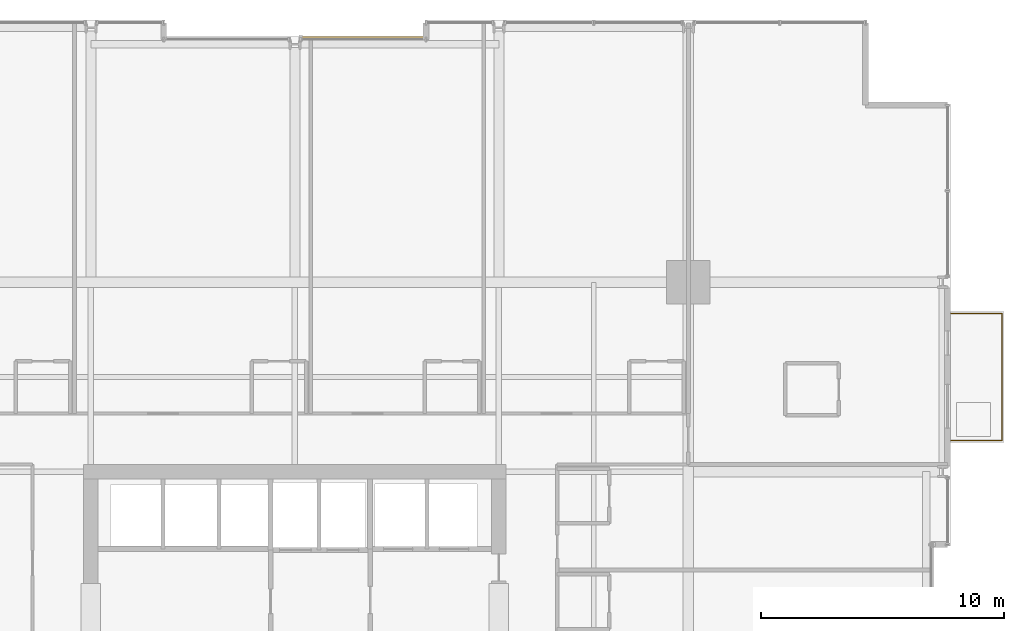
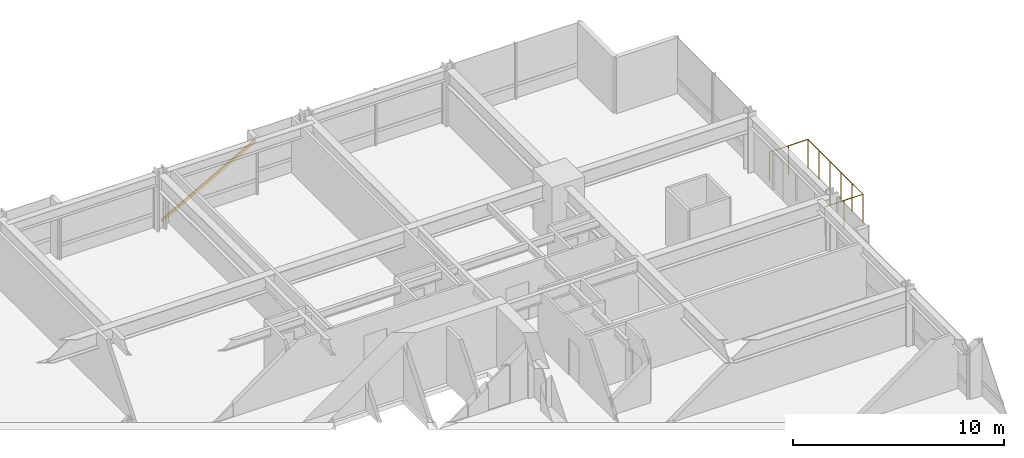
# One storey, part 37 of 37: 1 railing, 1 shading device.
"""IFC4 building model written with IfcOpenShell, lengths in metres."""

from ifc_helpers import new_model, si_unit, direction, frame, origin, origin_2d, place, context, subcontext, project, spatial, hollow_rectangle, circle, extrude, material, material_profile, profile_set, type_object, element, save


model = new_model("IFC4")

# Units and contexts
model_context = context("Model", 3, precision=1e-05, world=origin(), true_north=direction((0.0, 1.0)))
body_context = subcontext(model_context, "Body", "Model", "MODEL_VIEW")
ifc_project = project(units=[si_unit("LENGTHUNIT", "METRE"), si_unit("AREAUNIT", "SQUARE_METRE"), si_unit("VOLUMEUNIT", "CUBIC_METRE"), si_unit("PLANEANGLEUNIT", "RADIAN"), si_unit("MASSUNIT", "GRAM", prefix="KILO")], contexts=[model_context])

# Site, building, storey
site_placement = place(None, origin())
site = spatial("IfcSite", under=ifc_project, at=site_placement, CompositionType="ELEMENT")
building_placement = place(site_placement, origin())
building = spatial("IfcBuilding", under=site, at=building_placement, Name="Drelvath Grand Hotel", CompositionType="ELEMENT")
storey_placement = place(building_placement, frame((0.0, 0.0, 43.699951171875)))
storey = spatial("IfcBuildingStorey", under=building, at=storey_placement, Name="L09", CompositionType="ELEMENT", Elevation=43.699951171875)

# Shading device
ifc_material_1 = material(Name="Warm Bronze Anodised Aluminium", Category="aluminium")
ifc_material_profile = material_profile(ifc_material_1, hollow_rectangle(XDim=0.06494140625, YDim=0.159912109375, WallThickness=0.00390625, at=origin_2d()), Name="HSS160X65X4")
ifc_profile_set = profile_set([ifc_material_profile], Name="Warm Bronze Anodised Aluminium")
shading_device_type = type_object("IfcShadingDeviceType", Name="Diagonal Solar Fin Warm Bronze Anodised HSS160X65X4", PredefinedType="USERDEFINED", material=ifc_profile_set)
shading_device_placement = place(storey_placement, frame((0.240966796875, 53.280029296875, 0.179931640625), z_axis=(0.873145760887, 0.0, 0.487459208801), x_axis=(0.0, 1.0, 0.0)))
element("IfcShadingDevice", 1, at=shading_device_placement, inside=storey, type_object=shading_device_type, Name="L09 Diagonal Anodised Fin CW02-L09-NM2", ObjectType="FIN", PredefinedType="USERDEFINED", context=body_context, shape_type="SweptSolid", body=[
    extrude(hollow_rectangle(XDim=0.06494140625, YDim=0.159912109375, WallThickness=0.00390625, at=origin_2d()), origin(), (0.0, 0.0, 1.0), 5.908447265625),
])

# Railing
ifc_material_2 = material(Name="Anodised Aluminium and Laminated Glass Balustrade", Category="aluminium")
railing_type = type_object("IfcRailingType", Name="Raised Planter Edge Balustrade 1700", PredefinedType="BALUSTRADE", material=ifc_material_2)
railing_placement = place(storey_placement, frame((27.02001953125, 36.679931640625, 0.0)))
element("IfcRailing", 2, at=railing_placement, inside=storey, type_object=railing_type, Name="L09 Tree Balcony Perimeter Balustrade 1", PredefinedType="BALUSTRADE", context=body_context, shape_type="SweptSolid", body=[
    extrude(circle(Radius=0.02392578125, at=origin_2d()), frame((0.0, 0.0, 1.67578125), z_axis=(1.0, 0.0, 0.0), x_axis=(0.0, 1.0, 0.0)), (0.0, 0.0, 1.0), 2.10009765625),
    extrude(circle(Radius=0.02392578125, at=origin_2d()), frame((2.10009765625, 0.0, 1.67578125), z_axis=(0.0, 1.0, 0.0), x_axis=(-1.0, 0.0, 0.0)), (0.0, 0.0, 1.0), 5.239990234375),
    extrude(circle(Radius=0.02392578125, at=origin_2d()), frame((2.10009765625, 5.239990234375, 1.67578125), z_axis=(-1.0, 0.0, 0.0), x_axis=(0.0, -1.0, 0.0)), (0.0, 0.0, 1.0), 2.10009765625),
    extrude(circle(Radius=0.02099609375, at=origin_2d()), origin(), (0.0, 0.0, 1.0), 1.65185546875),
    extrude(circle(Radius=0.02099609375, at=origin_2d()), frame((1.050048828125, 0.0, 0.0)), (0.0, 0.0, 1.0), 1.65185546875),
    extrude(circle(Radius=0.02099609375, at=origin_2d()), frame((2.10009765625, 0.0, 0.0)), (0.0, 0.0, 1.0), 1.65185546875),
    extrude(circle(Radius=0.02099609375, at=origin_2d()), frame((2.10009765625, 1.048095703125, 0.0)), (0.0, 0.0, 1.0), 1.65185546875),
    extrude(circle(Radius=0.02099609375, at=origin_2d()), frame((2.10009765625, 2.095947265625, 0.0)), (0.0, 0.0, 1.0), 1.65185546875),
    extrude(circle(Radius=0.02099609375, at=origin_2d()), frame((2.10009765625, 3.14404296875, 0.0)), (0.0, 0.0, 1.0), 1.65185546875),
    extrude(circle(Radius=0.02099609375, at=origin_2d()), frame((2.10009765625, 4.19189453125, 0.0)), (0.0, 0.0, 1.0), 1.65185546875),
    extrude(circle(Radius=0.02099609375, at=origin_2d()), frame((2.10009765625, 5.239990234375, 0.0)), (0.0, 0.0, 1.0), 1.65185546875),
    extrude(circle(Radius=0.02099609375, at=origin_2d()), frame((1.050048828125, 5.239990234375, 0.0)), (0.0, 0.0, 1.0), 1.65185546875),
    extrude(circle(Radius=0.02099609375, at=origin_2d()), frame((0.0, 5.239990234375, 0.0)), (0.0, 0.0, 1.0), 1.65185546875),
])

save(model, "model.ifc")
